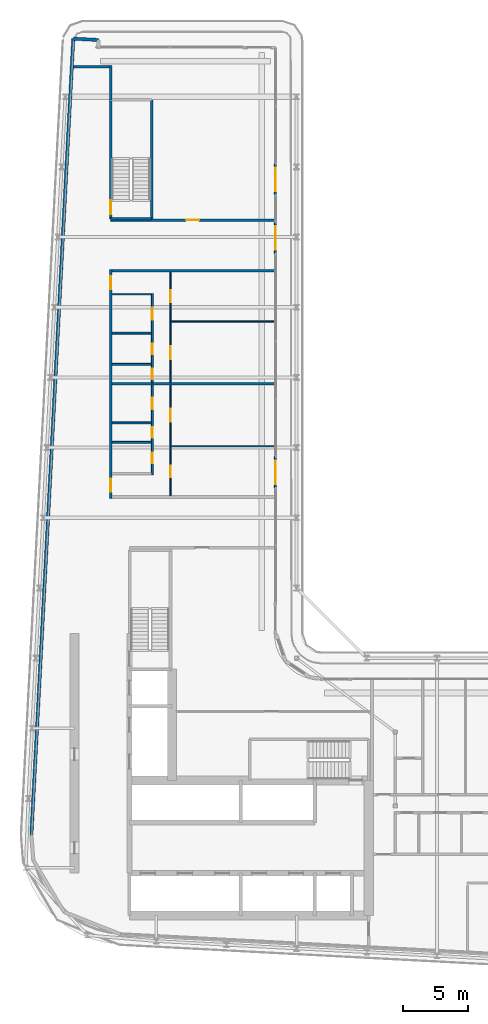
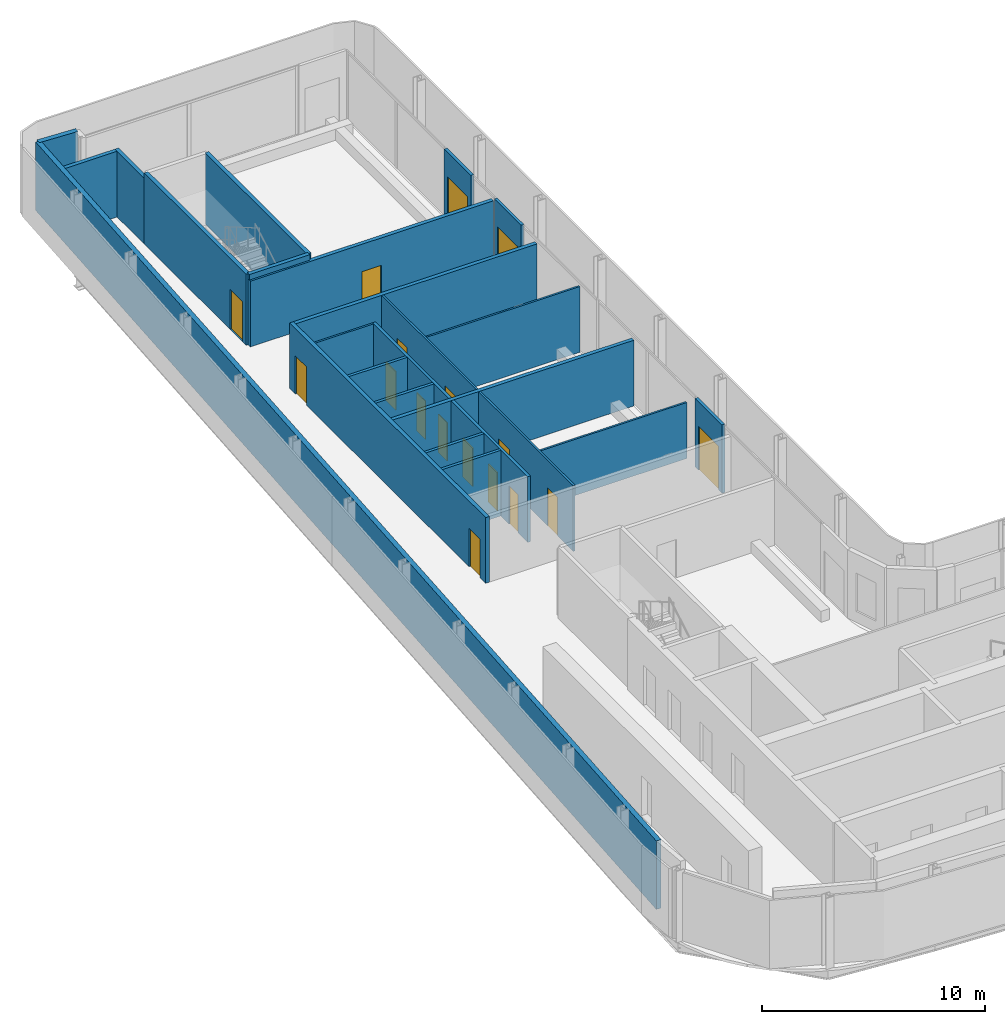
# One storey, part 13 of 21: 25 walls, 17 doors, 17 openings.
"""IFC4 building model written with IfcOpenShell, lengths in metres."""

import ifcopenshell
import ifcopenshell.guid

model = None  # the IFC model being written
_history = None  # IfcOwnerHistory: only IFC2X3 demands one
_inside = {}  # id of a spatial element -> (the spatial element, [elements in it])
_under = {}  # id of a project, library or spatial element -> (it, [spatial elements below it])
_declared = {}  # id of a project -> (the project, [libraries it declares])
_typed = {}  # id of a type object -> (the type object, [elements of that type])
_made_of = {}  # id of a material, layer set ... -> (it, [elements and type objects made of it])


def new_model(schema):
    """Start an empty IFC model of exactly this schema.

    Asked for "IFC4X3", IfcOpenShell would pick the latest addendum, in which some entities
    have other attributes; the version numbers below select the first issue.
    IFC2X3 requires an IfcOwnerHistory on every rooted entity: one is made here for all.
    """
    global model, _history
    if schema == "IFC4X3":
        model = ifcopenshell.file(schema_version=(4, 3, 0, 0))
    else:
        model = ifcopenshell.file(schema=schema)
    _inside.clear()
    _under.clear()
    _declared.clear()
    _typed.clear()
    _made_of.clear()
    _history = None
    if model.schema == "IFC2X3":
        org = make("IfcOrganization", Name="unknown")
        user = make(
            "IfcPersonAndOrganization",
            ThePerson=make("IfcPerson", FamilyName="unknown"),
            TheOrganization=org,
        )
        app = make(
            "IfcApplication",
            ApplicationDeveloper=org,
            Version="unknown",
            ApplicationFullName="unknown",
            ApplicationIdentifier="unknown",
        )
        _history = make(
            "IfcOwnerHistory",
            OwningUser=user,
            OwningApplication=app,
            ChangeAction="ADDED",
            CreationDate=0,
        )
    return model


def make(cls, **values):
    """One entity of the class cls with the attributes given. An attribute that is None is left unset."""
    return model.create_entity(
        cls, **{name: value for name, value in values.items() if value is not None}
    )


def rooted(cls, **values):
    """An entity with a GlobalId (a new one), such as an element, a storey or a relation."""
    return make(cls, GlobalId=ifcopenshell.guid.new(), OwnerHistory=_history, **values)


def si_unit(unit_type, name, prefix=None):
    """IfcSIUnit, for example si_unit("LENGTHUNIT", "METRE", prefix="MILLI")."""
    return make("IfcSIUnit", UnitType=unit_type, Prefix=prefix, Name=name)


def assignment(units):
    """IfcUnitAssignment: the units of a project."""
    return None if units is None else make("IfcUnitAssignment", Units=units)


def point(xyz):
    """IfcCartesianPoint."""
    return None if xyz is None else make("IfcCartesianPoint", Coordinates=xyz)


def direction(xyz):
    """IfcDirection."""
    return None if xyz is None else make("IfcDirection", DirectionRatios=xyz)


def frame(location, z_axis=None, x_axis=None):
    """IfcAxis2Placement3D, a coordinate frame: its origin and axes. An axis left out is left unset."""
    return make(
        "IfcAxis2Placement3D",
        Location=point(location),
        Axis=direction(z_axis),
        RefDirection=direction(x_axis),
    )


def frame_2d(location, x_axis=None):
    """IfcAxis2Placement2D, a coordinate frame in the plane: its origin and x axis."""
    return make(
        "IfcAxis2Placement2D", Location=point(location), RefDirection=direction(x_axis)
    )


def origin():
    """The frame at (0, 0, 0) with its axes left unset."""
    return frame((0.0, 0.0, 0.0))


def place(relative_to, where):
    """IfcLocalPlacement: puts the frame where relative to a parent placement (None: the world)."""
    return make(
        "IfcLocalPlacement", PlacementRelTo=relative_to, RelativePlacement=where
    )


def context(
    kind, dimensions, precision=None, world=None, true_north=None, identifier=None
):
    """IfcGeometricRepresentationContext, for example the 3D "Model" context."""
    return make(
        "IfcGeometricRepresentationContext",
        ContextIdentifier=identifier,
        ContextType=kind,
        CoordinateSpaceDimension=dimensions,
        Precision=precision,
        WorldCoordinateSystem=world,
        TrueNorth=true_north,
    )


def subcontext(parent, identifier, kind, view, scale=None):
    """IfcGeometricRepresentationSubContext, for example "Body" below "Model"."""
    return make(
        "IfcGeometricRepresentationSubContext",
        ContextIdentifier=identifier,
        ContextType=kind,
        ParentContext=parent,
        TargetScale=scale,
        TargetView=view,
    )


def project(units=None, contexts=None):
    """IfcProject with its units and contexts."""
    return rooted(
        "IfcProject",
        Name="project",
        RepresentationContexts=contexts,
        UnitsInContext=assignment(units),
    )


def spatial(cls, under=None, at=None, **own):
    """A site, building, storey or space (cls), placed at a placement, below another one or the project."""
    s = rooted(cls, ObjectPlacement=at, **own)
    if under is not None:
        _under.setdefault(under.id(), (under, []))[1].append(s)
    return s


def profile(cls, at=None, kind="AREA", **sizes):
    """A parametric profile (cls). Its sizes go by their IFC names, for example OverallWidth=200.0."""
    return make(cls, ProfileType=kind, Position=at, **sizes)


def rectangle(**sizes):
    """IfcRectangleProfileDef."""
    return profile("IfcRectangleProfileDef", **sizes)


def extrude(swept, where, along, depth):
    """IfcExtrudedAreaSolid: the profile swept, set in the frame where, extruded along a direction by depth."""
    return make(
        "IfcExtrudedAreaSolid",
        SweptArea=swept,
        Position=where,
        ExtrudedDirection=direction(along),
        Depth=depth,
    )


def shape(context_of_items, identifier, shape_type, items):
    """IfcShapeRepresentation: the items that make up one representation, for example the "Body"."""
    return make(
        "IfcShapeRepresentation",
        ContextOfItems=context_of_items,
        RepresentationIdentifier=identifier,
        RepresentationType=shape_type,
        Items=items,
    )


def source(mapping_origin, context_of_items, identifier, shape_type, items):
    """IfcRepresentationMap: a shape defined once, which mapped items show again and again."""
    return make(
        "IfcRepresentationMap",
        MappingOrigin=mapping_origin,
        MappedRepresentation=shape(context_of_items, identifier, shape_type, items),
    )


def transform(
    local_origin,
    x_axis=None,
    y_axis=None,
    z_axis=None,
    scale=None,
    scale2=None,
    scale3=None,
    uniform=True,
):
    """IfcCartesianTransformationOperator3D, or its non-uniform kind. x_axis, y_axis, z_axis: its Axis1, 2, 3."""
    if uniform:
        return make(
            "IfcCartesianTransformationOperator3D",
            Axis1=direction(x_axis),
            Axis2=direction(y_axis),
            LocalOrigin=point(local_origin),
            Scale=scale,
            Axis3=direction(z_axis),
        )
    return make(
        "IfcCartesianTransformationOperator3DnonUniform",
        Axis1=direction(x_axis),
        Axis2=direction(y_axis),
        LocalOrigin=point(local_origin),
        Scale=scale,
        Axis3=direction(z_axis),
        Scale2=scale2,
        Scale3=scale3,
    )


def mapped(mapping_source, mapping_target):
    """IfcMappedItem: shows the shape of a source again, moved by a transform."""
    return make(
        "IfcMappedItem", MappingSource=mapping_source, MappingTarget=mapping_target
    )


def material(Name=None, Category=None):
    """IfcMaterial."""
    return make("IfcMaterial", Name=Name, Category=Category)


def layer(
    of_material, thickness, ventilated=None, Name=None, Category=None, Priority=None
):
    """IfcMaterialLayer: one layer of a wall or slab, of a material (None: an air gap)."""
    return make(
        "IfcMaterialLayer",
        Material=of_material,
        LayerThickness=thickness,
        IsVentilated=ventilated,
        Name=Name,
        Category=Category,
        Priority=Priority,
    )


def layer_set(layers, Name=None):
    """IfcMaterialLayerSet."""
    return make("IfcMaterialLayerSet", MaterialLayers=layers, LayerSetName=Name)


def made_of(thing, what):
    """Note that an element or type object is made of a material, layer set ...; save() writes the relation."""
    if what is not None:
        _made_of.setdefault(what.id(), (what, []))[1].append(thing)
    return thing


def type_object(cls, material=None, **own):
    """A type object (cls), such as IfcWallType, which elements share."""
    return made_of(rooted(cls, **own), material)


def element(
    cls,
    number,
    at=None,
    inside=None,
    cuts=None,
    type_object=None,
    material=None,
    context=None,
    identifier="Body",
    shape_type=None,
    held_by="IfcProductDefinitionShape",
    body=None,
    shapes=None,
    **own,
):
    """One element of the class cls, such as IfcWall. Its Tag is "e" and its number.

    at: its placement. inside: the storey or other place that contains it. cuts: it is an
    opening in that element (IfcRelVoidsElement). A single representation is given by context,
    identifier, shape_type and body (its items); several are given by shapes. held_by: the class
    of the entity that holds the representations. save() writes the other relations.
    """
    e = rooted(cls, Tag="e%d" % number, ObjectPlacement=at, **own)
    if body is not None:
        shapes = [shape(context, identifier, shape_type, body)]
    if shapes is not None:
        e.Representation = make(held_by, Representations=shapes)
    if inside is not None:
        _inside.setdefault(inside.id(), (inside, []))[1].append(e)
    if cuts is not None:
        rooted(
            "IfcRelVoidsElement", RelatingBuildingElement=cuts, RelatedOpeningElement=e
        )
    if type_object is not None:
        _typed.setdefault(type_object.id(), (type_object, []))[1].append(e)
    return made_of(e, material)


def fill(opening, filler):
    """IfcRelFillsElement: the door or window that sits in an opening."""
    return rooted(
        "IfcRelFillsElement",
        RelatingOpeningElement=opening,
        RelatedBuildingElement=filler,
    )


def aggregate(whole, parts):
    """IfcRelAggregates: a whole, such as a stair, and the parts it consists of."""
    return rooted("IfcRelAggregates", RelatingObject=whole, RelatedObjects=parts)


def save(model, path):
    """Write the relations noted so far, then the file.

    IfcRelAggregates (storeys below a building ...), IfcRelContainedInSpatialStructure (elements
    in a storey), IfcRelDefinesByType, IfcRelAssociatesMaterial and IfcRelDeclares: one each for
    every whole, place, type object, material and project.
    """
    for whole, parts in _under.values():
        aggregate(whole, parts)
    for where, things in _inside.values():
        rooted(
            "IfcRelContainedInSpatialStructure",
            RelatedElements=things,
            RelatingStructure=where,
        )
    for kind, things in _typed.values():
        rooted("IfcRelDefinesByType", RelatedObjects=things, RelatingType=kind)
    for what, things in _made_of.values():
        rooted("IfcRelAssociatesMaterial", RelatedObjects=things, RelatingMaterial=what)
    for by, libraries in _declared.values():
        rooted("IfcRelDeclares", RelatingContext=by, RelatedDefinitions=libraries)
    model.write(path)


model = new_model("IFC4")

# Units and contexts
model_context = context("Model", 3, precision=1e-05, world=origin(), true_north=direction((0.0, 1.0)))
body_context = subcontext(model_context, "Body", "Model", "MODEL_VIEW")
ifc_project = project(units=[si_unit("LENGTHUNIT", "METRE"), si_unit("AREAUNIT", "SQUARE_METRE"), si_unit("VOLUMEUNIT", "CUBIC_METRE"), si_unit("PLANEANGLEUNIT", "RADIAN"), si_unit("MASSUNIT", "GRAM", prefix="KILO")], contexts=[model_context])

# Site, building, storey
site_placement = place(None, origin())
site = spatial("IfcSite", under=ifc_project, at=site_placement, CompositionType="ELEMENT")
building_placement = place(site_placement, origin())
building = spatial("IfcBuilding", under=site, at=building_placement, Name="Kheshtan School and Residences Tower", CompositionType="ELEMENT")
storey_placement = place(building_placement, frame((0.0, 0.0, 235.699951171875)))
storey = spatial("IfcBuildingStorey", under=building, at=storey_placement, Name="L55", CompositionType="ELEMENT", Elevation=235.699951171875)

# Wall
ifc_material_1 = material(Name="Gypsum board on steel studs with fire boards", Category="steel")
ifc_layer_1 = layer(ifc_material_1, 0.199951171875)
ifc_layer_set_1 = layer_set([ifc_layer_1], Name="Corridor wall 200")
wall_type_1 = type_object("IfcWallType", Name="Corridor wall 200", PredefinedType="PARTITIONING", material=ifc_layer_set_1)
wall_1_placement = place(storey_placement, frame((30.432373046875, 91.10009765625, 0.0), z_axis=(0.0, 0.0, 1.0), x_axis=(1.0, 0.0, 0.0)))
element("IfcWall", 1, at=wall_1_placement, inside=storey, type_object=wall_type_1, Name="Partition L55-001", PredefinedType="PARTITIONING", context=body_context, shape_type="SweptSolid", body=[
    extrude(rectangle(XDim=2.767578125, YDim=0.199951171875, at=frame_2d((1.3837890625, 0.0))), origin(), (0.0, 0.0, 1.0), 3.60009765625),
])

# Wall, openings, doors
wall_2_placement = place(storey_placement, frame((33.300048828125, 57.89990234375, 0.0), z_axis=(0.0, 0.0, 1.0), x_axis=(0.0, 1.0, 0.0)))
wall_2 = element("IfcWall", 2, at=wall_2_placement, inside=storey, type_object=wall_type_1, Name="Partition L55-002", PredefinedType="PARTITIONING", context=body_context, shape_type="SweptSolid", body=[
    extrude(rectangle(XDim=17.60009765625, YDim=0.199951171875, at=frame_2d((8.800048828125, 0.0))), origin(), (0.0, 0.0, 1.0), 3.60009765625),
])
opening_1_placement = place(wall_2_placement, frame((0.5, 0.0, 0.0)))
opening_1 = element("IfcOpeningElement", 3, at=opening_1_placement, cuts=wall_2, Name="Opening D54-024", PredefinedType="OPENING", context=body_context, shape_type="SweptSolid", body=[
    extrude(rectangle(XDim=1.0, YDim=2.10009765625, at=frame_2d((0.5, 1.050048828125))), frame((0.0, 0.10986328125, 0.0), z_axis=(0.0, -1.0, 0.0), x_axis=(1.0, 0.0, 0.0)), (0.0, 0.0, 1.0), 0.219970703125),
])
opening_2_placement = place(wall_2_placement, frame((16.10009765625, 0.0, 0.0)))
opening_2 = element("IfcOpeningElement", 4, at=opening_2_placement, cuts=wall_2, Name="Opening D54-030", PredefinedType="OPENING", context=body_context, shape_type="SweptSolid", body=[
    extrude(rectangle(XDim=1.0, YDim=2.10009765625, at=frame_2d((0.5, 1.050048828125))), frame((0.0, 0.10986328125, 0.0), z_axis=(0.0, -1.0, 0.0), x_axis=(1.0, 0.0, 0.0)), (0.0, 0.0, 1.0), 0.219970703125),
])
ifc_material_2 = material(Name="Steel-framed fire-resisting door leaf", Category="steel")
door_type_1 = type_object("IfcDoorType", Name="Fire door FD30S 1000 x 2100", OperationType="SINGLE_SWING_LEFT", PredefinedType="DOOR", material=ifc_material_2)
shared_shape_1 = source(origin(), body_context, "Body", "SweptSolid", [
    extrude(rectangle(XDim=1.0, YDim=2.10009765625, at=frame_2d((0.5, 1.050048828125))), frame((0.0, 0.02490234375, 0.0), z_axis=(0.0, -1.0, 0.0), x_axis=(1.0, 0.0, 0.0)), (0.0, 0.0, 1.0), 0.050048828125),
])
door_1_placement = place(opening_1_placement, origin())
door_1 = element("IfcDoor", 5, at=door_1_placement, inside=storey, type_object=door_type_1, Name="Door D54-024", OperationType="SINGLE_SWING_RIGHT", OverallHeight=2.10009765625, OverallWidth=1.0, PredefinedType="DOOR", context=body_context, shape_type="MappedRepresentation", body=[
    mapped(shared_shape_1, transform((0.0, 0.0, 0.0), x_axis=(1.0, 0.0, 0.0), y_axis=(0.0, 1.0, 0.0), z_axis=(0.0, 0.0, 1.0), scale=1.0)),
])
fill(opening_1, door_1)
door_2_placement = place(opening_2_placement, origin())
door_2 = element("IfcDoor", 6, at=door_2_placement, inside=storey, type_object=door_type_1, Name="Door D54-030", OperationType="SINGLE_SWING_RIGHT", OverallHeight=2.10009765625, OverallWidth=1.0, PredefinedType="DOOR", context=body_context, shape_type="MappedRepresentation", body=[
    mapped(shared_shape_1, transform((0.0, 0.0, 0.0), x_axis=(1.0, 0.0, 0.0), y_axis=(0.0, 1.0, 0.0), z_axis=(0.0, 0.0, 1.0), scale=1.0)),
])
fill(opening_2, door_2)

# Wall, opening, door
wall_3_placement = place(storey_placement, frame((33.300048828125, 79.300048828125, 0.0), z_axis=(0.0, 0.0, 1.0), x_axis=(1.0, 0.0, 0.0)))
wall_3 = element("IfcWall", 7, at=wall_3_placement, inside=storey, type_object=wall_type_1, Name="Partition L55-003", PredefinedType="PARTITIONING", context=body_context, shape_type="SweptSolid", body=[
    extrude(rectangle(XDim=12.599853515625, YDim=0.199951171875, at=frame_2d((6.2998046875, 0.0))), origin(), (0.0, 0.0, 1.0), 3.60009765625),
])
opening_3_placement = place(wall_3_placement, frame((5.794921875, 0.0, 0.0)))
opening_3 = element("IfcOpeningElement", 8, at=opening_3_placement, cuts=wall_3, Name="Opening D54-036", PredefinedType="OPENING", context=body_context, shape_type="SweptSolid", body=[
    extrude(rectangle(XDim=1.0, YDim=2.10009765625, at=frame_2d((0.5, 1.050048828125))), frame((0.0, 0.10986328125, 0.0), z_axis=(0.0, -1.0, 0.0), x_axis=(1.0, 0.0, 0.0)), (0.0, 0.0, 1.0), 0.219970703125),
])
door_type_2 = type_object("IfcDoorType", Name="Fire door FD60 1000 x 2100", OperationType="SINGLE_SWING_LEFT", PredefinedType="DOOR", material=ifc_material_2)
shared_shape_2 = source(origin(), body_context, "Body", "SweptSolid", [
    extrude(rectangle(XDim=1.0, YDim=2.10009765625, at=frame_2d((0.5, 1.050048828125))), frame((0.0, 0.02490234375, 0.0), z_axis=(0.0, -1.0, 0.0), x_axis=(1.0, 0.0, 0.0)), (0.0, 0.0, 1.0), 0.050048828125),
])
door_3_placement = place(opening_3_placement, origin())
door_3 = element("IfcDoor", 9, at=door_3_placement, inside=storey, type_object=door_type_2, Name="Door D54-036", OperationType="SINGLE_SWING_RIGHT", OverallHeight=2.10009765625, OverallWidth=1.0, PredefinedType="DOOR", context=body_context, shape_type="MappedRepresentation", body=[
    mapped(shared_shape_2, transform((0.0, 0.0, 0.0), x_axis=(1.0, 0.0, 0.0), y_axis=(0.0, 1.0, 0.0), z_axis=(0.0, 0.0, 1.0), scale=1.0)),
])
fill(opening_3, door_3)

# Walls
wall_4_placement = place(storey_placement, frame((33.300048828125, 88.56005859375, 0.0), z_axis=(0.0, 0.0, 1.0), x_axis=(0.0, 1.0, 0.0)))
element("IfcWall", 10, at=wall_4_placement, inside=storey, type_object=wall_type_1, Name="Partition L55-004", PredefinedType="PARTITIONING", context=body_context, shape_type="SweptSolid", body=[
    extrude(rectangle(XDim=2.639892578125, YDim=0.199951171875, at=frame_2d((1.31982421875, 0.0))), origin(), (0.0, 0.0, 1.0), 3.60009765625),
])
wall_5_placement = place(storey_placement, frame((33.39990234375, 75.39990234375, 0.0), z_axis=(0.0, 0.0, 1.0), x_axis=(1.0, 0.0, 0.0)))
element("IfcWall", 11, at=wall_5_placement, inside=storey, type_object=wall_type_1, Name="Partition L55-013", PredefinedType="PARTITIONING", context=body_context, shape_type="SweptSolid", body=[
    extrude(rectangle(XDim=12.5, YDim=0.199951171875, at=frame_2d((6.25, 0.0))), origin(), (0.0, 0.0, 1.0), 3.60009765625),
])
ifc_material_3 = material(Name="Concrete C40/50 with ceramic cladding and mineral wool insulation", Category="concrete")
ifc_layer_2 = layer(ifc_material_3, 0.25)
ifc_layer_set_2 = layer_set([ifc_layer_2], Name="External wall 250 ceramic clad")
wall_type_2 = type_object("IfcWallType", Name="External wall 250 ceramic clad", PredefinedType="SOLIDWALL", material=ifc_layer_set_2)
wall_6_placement = place(storey_placement, frame((30.4208984375, 93.263916015625, 0.0), z_axis=(0.0, 0.0, 1.0), x_axis=(0.998577785791, -0.053314216913, 0.0)))
element("IfcWall", 12, at=wall_6_placement, inside=storey, type_object=wall_type_2, Name="External wall L55 1", PredefinedType="SOLIDWALL", context=body_context, shape_type="SweptSolid", body=[
    extrude(rectangle(XDim=1.95068359375, YDim=0.25, at=frame_2d((0.975341796875, 0.0))), origin(), (0.0, 0.0, 1.0), 3.75),
])
wall_7_placement = place(storey_placement, frame((27.195068359375, 31.968994140625, 0.0), z_axis=(0.0, 0.0, 1.0), x_axis=(0.052555284099, 0.998618016117, 0.0)))
element("IfcWall", 13, at=wall_7_placement, inside=storey, type_object=wall_type_2, Name="External wall L55 16", PredefinedType="SOLIDWALL", context=body_context, shape_type="SweptSolid", body=[
    extrude(rectangle(XDim=61.379638671875, YDim=0.25, at=frame_2d((30.68994140625, 0.0))), origin(), (0.0, 0.0, 1.0), 3.75),
])

# Wall, opening, door
ifc_material_4 = material(Name="Aluminium frame wall with insulated infill", Category="aluminium")
ifc_layer_3 = layer(ifc_material_4, 0.14990234375)
ifc_layer_set_3 = layer_set([ifc_layer_3], Name="Glazing frame wall 150")
wall_type_3 = type_object("IfcWallType", Name="Glazing frame wall 150", PredefinedType="SOLIDWALL", material=ifc_layer_set_3)
wall_8_placement = place(storey_placement, frame((45.97509765625, 83.632080078125, 0.0), z_axis=(0.0, 0.0, 1.0), x_axis=(0.0, -1.0, 0.0)))
wall_8 = element("IfcWall", 14, at=wall_8_placement, inside=storey, type_object=wall_type_3, Name="Balcony door wall L55 4.1", PredefinedType="SOLIDWALL", context=body_context, shape_type="SweptSolid", body=[
    extrude(rectangle(XDim=2.399169921875, YDim=0.14990234375, at=frame_2d((1.19970703125, 0.0))), origin(), (0.0, 0.0, 1.0), 3.75),
])
opening_4_placement = place(wall_8_placement, frame((0.300048828125, 0.0, 0.0)))
opening_4 = element("IfcOpeningElement", 15, at=opening_4_placement, cuts=wall_8, Name="Opening BD", PredefinedType="OPENING", context=body_context, shape_type="SweptSolid", body=[
    extrude(rectangle(XDim=1.800048828125, YDim=2.39990234375, at=frame_2d((0.89990234375, 1.199951171875))), frame((0.0, 0.0849609375, 0.0), z_axis=(0.0, -1.0, 0.0), x_axis=(1.0, 0.0, 0.0)), (0.0, 0.0, 1.0), 0.169921875),
])
ifc_material_5 = material(Name="Clear low-e glass in thermally broken aluminium frame", Category="aluminium")
door_type_3 = type_object("IfcDoorType", Name="Balcony sliding door", OperationType="SLIDING_TO_LEFT", PredefinedType="DOOR", material=ifc_material_5)
shared_shape_3 = source(origin(), body_context, "Body", "SweptSolid", [
    extrude(rectangle(XDim=1.800048828125, YDim=2.39990234375, at=frame_2d((0.89990234375, 1.199951171875))), frame((0.0, 0.02490234375, 0.0), z_axis=(0.0, -1.0, 0.0), x_axis=(1.0, 0.0, 0.0)), (0.0, 0.0, 1.0), 0.050048828125),
])
door_4_placement = place(opening_4_placement, origin())
door_4 = element("IfcDoor", 16, at=door_4_placement, inside=storey, type_object=door_type_3, Name="Balcony door L55 4.1", OperationType="SLIDING_TO_LEFT", OverallHeight=2.39990234375, OverallWidth=1.800048828125, PredefinedType="DOOR", context=body_context, shape_type="MappedRepresentation", body=[
    mapped(shared_shape_3, transform((0.0, 0.0, 0.0), x_axis=(1.0, 0.0, 0.0), y_axis=(0.0, 1.0, 0.0), z_axis=(0.0, 0.0, 1.0), scale=1.0)),
])
fill(opening_4, door_4)

wall_9_placement = place(storey_placement, frame((45.97509765625, 79.132080078125, 0.0), z_axis=(0.0, 0.0, 1.0), x_axis=(0.0, -1.0, 0.0)))
wall_9 = element("IfcWall", 17, at=wall_9_placement, inside=storey, type_object=wall_type_3, Name="Balcony door wall L55 4.2", PredefinedType="SOLIDWALL", context=body_context, shape_type="SweptSolid", body=[
    extrude(rectangle(XDim=2.399169921875, YDim=0.14990234375, at=frame_2d((1.19970703125, 0.0))), origin(), (0.0, 0.0, 1.0), 3.75),
])
opening_5_placement = place(wall_9_placement, frame((0.300048828125, 0.0, 0.0)))
opening_5 = element("IfcOpeningElement", 18, at=opening_5_placement, cuts=wall_9, Name="Opening BD", PredefinedType="OPENING", context=body_context, shape_type="SweptSolid", body=[
    extrude(rectangle(XDim=1.800048828125, YDim=2.39990234375, at=frame_2d((0.89990234375, 1.199951171875))), frame((0.0, 0.0849609375, 0.0), z_axis=(0.0, -1.0, 0.0), x_axis=(1.0, 0.0, 0.0)), (0.0, 0.0, 1.0), 0.169921875),
])
door_5_placement = place(opening_5_placement, origin())
door_5 = element("IfcDoor", 19, at=door_5_placement, inside=storey, type_object=door_type_3, Name="Balcony door L55 4.2", OperationType="SLIDING_TO_LEFT", OverallHeight=2.39990234375, OverallWidth=1.800048828125, PredefinedType="DOOR", context=body_context, shape_type="MappedRepresentation", body=[
    mapped(shared_shape_3, transform((0.0, 0.0, 0.0), x_axis=(1.0, 0.0, 0.0), y_axis=(0.0, 1.0, 0.0), z_axis=(0.0, 0.0, 1.0), scale=1.0)),
])
fill(opening_5, door_5)

wall_10_placement = place(storey_placement, frame((45.97509765625, 61.096923828125, 0.0), z_axis=(0.0, 0.0, 1.0), x_axis=(0.0, -1.0, 0.0)))
wall_10 = element("IfcWall", 20, at=wall_10_placement, inside=storey, type_object=wall_type_3, Name="Balcony door wall L55 4.3", PredefinedType="SOLIDWALL", context=body_context, shape_type="SweptSolid", body=[
    extrude(rectangle(XDim=2.39990234375, YDim=0.14990234375, at=frame_2d((1.199951171875, 0.0))), origin(), (0.0, 0.0, 1.0), 3.75),
])
opening_6_placement = place(wall_10_placement, frame((0.300048828125, 0.0, 0.0)))
opening_6 = element("IfcOpeningElement", 21, at=opening_6_placement, cuts=wall_10, Name="Opening BD", PredefinedType="OPENING", context=body_context, shape_type="SweptSolid", body=[
    extrude(rectangle(XDim=1.800048828125, YDim=2.39990234375, at=frame_2d((0.89990234375, 1.199951171875))), frame((0.0, 0.0849609375, 0.0), z_axis=(0.0, -1.0, 0.0), x_axis=(1.0, 0.0, 0.0)), (0.0, 0.0, 1.0), 0.169921875),
])
door_6_placement = place(opening_6_placement, origin())
door_6 = element("IfcDoor", 22, at=door_6_placement, inside=storey, type_object=door_type_3, Name="Balcony door L55 4.3", OperationType="SLIDING_TO_LEFT", OverallHeight=2.39990234375, OverallWidth=1.800048828125, PredefinedType="DOOR", context=body_context, shape_type="MappedRepresentation", body=[
    mapped(shared_shape_3, transform((0.0, 0.0, 0.0), x_axis=(1.0, 0.0, 0.0), y_axis=(0.0, 1.0, 0.0), z_axis=(0.0, 0.0, 1.0), scale=1.0)),
])
fill(opening_6, door_6)

# Wall
ifc_material_6 = material(Name="Gypsum board on steel studs", Category="steel")
ifc_layer_4 = layer(ifc_material_6, 0.10009765625)
ifc_layer_set_4 = layer_set([ifc_layer_4], Name="Gypsum partition 100")
wall_type_4 = type_object("IfcWallType", Name="Gypsum partition 100", PredefinedType="PARTITIONING", material=ifc_layer_set_4)
wall_11_placement = place(storey_placement, frame((33.39990234375, 73.60009765625, 0.0), z_axis=(0.0, 0.0, 1.0), x_axis=(1.0, 0.0, 0.0)))
element("IfcWall", 23, at=wall_11_placement, inside=storey, type_object=wall_type_4, Name="Partition L55-012", PredefinedType="PARTITIONING", context=body_context, shape_type="SweptSolid", body=[
    extrude(rectangle(XDim=3.025146484375, YDim=0.10009765625, at=frame_2d((1.5126953125, 0.0))), origin(), (0.0, 0.0, 1.0), 3.60009765625),
])

# Wall, openings, doors
wall_12_placement = place(storey_placement, frame((37.89990234375, 58.10009765625, 0.0), z_axis=(0.0, 0.0, 1.0), x_axis=(0.0, 1.0, 0.0)))
wall_12 = element("IfcWall", 24, at=wall_12_placement, inside=storey, type_object=wall_type_4, Name="Partition L55-017", PredefinedType="PARTITIONING", context=body_context, shape_type="SweptSolid", body=[
    extrude(rectangle(XDim=8.5, YDim=0.10009765625, at=frame_2d((4.25, 0.0))), origin(), (0.0, 0.0, 1.0), 3.60009765625),
])
opening_7_placement = place(wall_12_placement, frame((1.39990234375, 0.0, 0.0)))
opening_7 = element("IfcOpeningElement", 25, at=opening_7_placement, cuts=wall_12, Name="Opening D54-023", PredefinedType="OPENING", context=body_context, shape_type="SweptSolid", body=[
    extrude(rectangle(XDim=0.89990234375, YDim=2.10009765625, at=frame_2d((0.449951171875, 1.050048828125))), frame((0.0, 0.06005859375, 0.0), z_axis=(0.0, -1.0, 0.0), x_axis=(1.0, 0.0, 0.0)), (0.0, 0.0, 1.0), 0.1201171875),
])
opening_8_placement = place(wall_12_placement, frame((5.699951171875, 0.0, 0.0)))
opening_8 = element("IfcOpeningElement", 26, at=opening_8_placement, cuts=wall_12, Name="Opening D54-026", PredefinedType="OPENING", context=body_context, shape_type="SweptSolid", body=[
    extrude(rectangle(XDim=1.0, YDim=2.10009765625, at=frame_2d((0.5, 1.050048828125))), frame((0.0, 0.06005859375, 0.0), z_axis=(0.0, -1.0, 0.0), x_axis=(1.0, 0.0, 0.0)), (0.0, 0.0, 1.0), 0.1201171875),
])
ifc_material_7 = material(Name="Veneered timber door leaf", Category="wood")
door_type_4 = type_object("IfcDoorType", Name="Door 1000 x 2100", OperationType="SINGLE_SWING_LEFT", PredefinedType="DOOR", material=ifc_material_7)
shared_shape_4 = source(origin(), body_context, "Body", "SweptSolid", [
    extrude(rectangle(XDim=1.0, YDim=2.10009765625, at=frame_2d((0.5, 1.050048828125))), frame((0.0, 0.02490234375, 0.0), z_axis=(0.0, -1.0, 0.0), x_axis=(1.0, 0.0, 0.0)), (0.0, 0.0, 1.0), 0.050048828125),
])
door_7_placement = place(opening_8_placement, origin())
door_7 = element("IfcDoor", 27, at=door_7_placement, inside=storey, type_object=door_type_4, Name="Door D54-026", OperationType="SINGLE_SWING_LEFT", OverallHeight=2.10009765625, OverallWidth=1.0, PredefinedType="DOOR", context=body_context, shape_type="MappedRepresentation", body=[
    mapped(shared_shape_4, transform((0.0, 0.0, 0.0), x_axis=(1.0, 0.0, 0.0), y_axis=(0.0, 1.0, 0.0), z_axis=(0.0, 0.0, 1.0), scale=1.0)),
])
fill(opening_8, door_7)
door_type_5 = type_object("IfcDoorType", Name="Door 900 x 2100", OperationType="SINGLE_SWING_LEFT", PredefinedType="DOOR", material=ifc_material_7)
shared_shape_5 = source(origin(), body_context, "Body", "SweptSolid", [
    extrude(rectangle(XDim=0.89990234375, YDim=2.10009765625, at=frame_2d((0.449951171875, 1.050048828125))), frame((0.0, 0.02490234375, 0.0), z_axis=(0.0, -1.0, 0.0), x_axis=(1.0, 0.0, 0.0)), (0.0, 0.0, 1.0), 0.050048828125),
])
door_8_placement = place(opening_7_placement, origin())
door_8 = element("IfcDoor", 28, at=door_8_placement, inside=storey, type_object=door_type_5, Name="Door D54-023", OperationType="SINGLE_SWING_LEFT", OverallHeight=2.10009765625, OverallWidth=0.89990234375, PredefinedType="DOOR", context=body_context, shape_type="MappedRepresentation", body=[
    mapped(shared_shape_5, transform((0.0, 0.0, 0.0), x_axis=(1.0, 0.0, 0.0), y_axis=(0.0, 1.0, 0.0), z_axis=(0.0, 0.0, 1.0), scale=1.0)),
])
fill(opening_7, door_8)

wall_13_placement = place(storey_placement, frame((37.89990234375, 66.800048828125, 0.0), z_axis=(0.0, 0.0, 1.0), x_axis=(0.0, 1.0, 0.0)))
wall_13 = element("IfcWall", 29, at=wall_13_placement, inside=storey, type_object=wall_type_4, Name="Partition L55-018", PredefinedType="PARTITIONING", context=body_context, shape_type="SweptSolid", body=[
    extrude(rectangle(XDim=8.5, YDim=0.10009765625, at=frame_2d((4.25, 0.0))), origin(), (0.0, 0.0, 1.0), 3.60009765625),
])
opening_9_placement = place(wall_13_placement, frame((6.199951171875, 0.0, 0.0)))
opening_9 = element("IfcOpeningElement", 30, at=opening_9_placement, cuts=wall_13, Name="Opening D54-029", PredefinedType="OPENING", context=body_context, shape_type="SweptSolid", body=[
    extrude(rectangle(XDim=0.89990234375, YDim=2.10009765625, at=frame_2d((0.449951171875, 1.050048828125))), frame((0.0, 0.06005859375, 0.0), z_axis=(0.0, -1.0, 0.0), x_axis=(1.0, 0.0, 0.0)), (0.0, 0.0, 1.0), 0.1201171875),
])
opening_10_placement = place(wall_13_placement, frame((1.800048828125, 0.0, 0.0)))
opening_10 = element("IfcOpeningElement", 31, at=opening_10_placement, cuts=wall_13, Name="Opening D54-032", PredefinedType="OPENING", context=body_context, shape_type="SweptSolid", body=[
    extrude(rectangle(XDim=1.0, YDim=2.10009765625, at=frame_2d((0.5, 1.050048828125))), frame((0.0, 0.06005859375, 0.0), z_axis=(0.0, -1.0, 0.0), x_axis=(1.0, 0.0, 0.0)), (0.0, 0.0, 1.0), 0.1201171875),
])
door_9_placement = place(opening_10_placement, origin())
door_9 = element("IfcDoor", 32, at=door_9_placement, inside=storey, type_object=door_type_4, Name="Door D54-032", OperationType="SINGLE_SWING_RIGHT", OverallHeight=2.10009765625, OverallWidth=1.0, PredefinedType="DOOR", context=body_context, shape_type="MappedRepresentation", body=[
    mapped(shared_shape_4, transform((0.0, 0.0, 0.0), x_axis=(1.0, 0.0, 0.0), y_axis=(0.0, 1.0, 0.0), z_axis=(0.0, 0.0, 1.0), scale=1.0)),
])
fill(opening_10, door_9)
door_10_placement = place(opening_9_placement, origin())
door_10 = element("IfcDoor", 33, at=door_10_placement, inside=storey, type_object=door_type_5, Name="Door D54-029", OperationType="SINGLE_SWING_RIGHT", OverallHeight=2.10009765625, OverallWidth=0.89990234375, PredefinedType="DOOR", context=body_context, shape_type="MappedRepresentation", body=[
    mapped(shared_shape_5, transform((0.0, 0.0, 0.0), x_axis=(1.0, 0.0, 0.0), y_axis=(0.0, 1.0, 0.0), z_axis=(0.0, 0.0, 1.0), scale=1.0)),
])
fill(opening_9, door_10)

# Walls
wall_14_placement = place(storey_placement, frame((37.949951171875, 61.89990234375, 0.0), z_axis=(0.0, 0.0, 1.0), x_axis=(1.0, 0.0, 0.0)))
element("IfcWall", 34, at=wall_14_placement, inside=storey, type_object=wall_type_4, Name="Partition L55-019", PredefinedType="PARTITIONING", context=body_context, shape_type="SweptSolid", body=[
    extrude(rectangle(XDim=7.949951171875, YDim=0.10009765625, at=frame_2d((3.97509765625, 0.0))), origin(), (0.0, 0.0, 1.0), 3.072021484375),
])
wall_15_placement = place(storey_placement, frame((37.949951171875, 71.5, 0.0), z_axis=(0.0, 0.0, 1.0), x_axis=(1.0, 0.0, 0.0)))
element("IfcWall", 35, at=wall_15_placement, inside=storey, type_object=wall_type_4, Name="Partition L55-020", PredefinedType="PARTITIONING", context=body_context, shape_type="SweptSolid", body=[
    extrude(rectangle(XDim=7.949951171875, YDim=0.10009765625, at=frame_2d((3.97509765625, 0.0))), origin(), (0.0, 0.0, 1.0), 3.60009765625),
])
ifc_material_8 = material(Name="Concrete C40/50", Category="concrete")
ifc_layer_5 = layer(ifc_material_8, 0.199951171875)
ifc_layer_set_5 = layer_set([ifc_layer_5], Name="Stair enclosure wall 200 Concrete C40/50")
wall_type_5 = type_object("IfcWallType", Name="Stair enclosure wall 200 Concrete C40/50", PredefinedType="SHEAR", material=ifc_layer_set_5)
wall_16_placement = place(storey_placement, frame((33.300048828125, 79.39990234375, 0.0), z_axis=(0.0, 0.0, 1.0), x_axis=(1.0, 0.0, 0.0)))
element("IfcWall", 36, at=wall_16_placement, inside=storey, type_object=wall_type_5, Name="Stair enclosure wall ST3", PredefinedType="SHEAR", context=body_context, shape_type="SweptSolid", body=[
    extrude(rectangle(XDim=3.14990234375, YDim=0.199951171875, at=frame_2d((1.574951171875, 0.0))), origin(), (0.0, 0.0, 1.0), 3.900146484375),
])

# Wall, opening, door
wall_17_placement = place(storey_placement, frame((33.300048828125, 79.39990234375, 0.0), z_axis=(0.0, 0.0, 1.0), x_axis=(0.0, 1.0, 0.0)))
wall_17 = element("IfcWall", 37, at=wall_17_placement, inside=storey, type_object=wall_type_5, Name="Stair enclosure wall ST3", PredefinedType="SHEAR", context=body_context, shape_type="SweptSolid", body=[
    extrude(rectangle(XDim=9.16015625, YDim=0.199951171875, at=frame_2d((4.580078125, 0.0))), origin(), (0.0, 0.0, 1.0), 3.900146484375),
])
opening_11_placement = place(wall_17_placement, frame((0.35009765625, 0.0, 0.0)))
opening_11 = element("IfcOpeningElement", 38, at=opening_11_placement, cuts=wall_17, Name="Opening ST3D", PredefinedType="OPENING", context=body_context, shape_type="SweptSolid", body=[
    extrude(rectangle(XDim=1.10009765625, YDim=2.199951171875, at=frame_2d((0.550048828125, 1.10009765625))), frame((0.0, 0.10986328125, 0.0), z_axis=(0.0, -1.0, 0.0), x_axis=(1.0, 0.0, 0.0)), (0.0, 0.0, 1.0), 0.219970703125),
])
ifc_material_9 = material(Name="Steel door leaf, galvanised", Category="steel")
door_type_6 = type_object("IfcDoorType", Name="Stair door 1100 steel 90 min", OperationType="SINGLE_SWING_LEFT", PredefinedType="DOOR", material=ifc_material_9)
shared_shape_6 = source(origin(), body_context, "Body", "SweptSolid", [
    extrude(rectangle(XDim=1.10009765625, YDim=2.199951171875, at=frame_2d((0.550048828125, 1.10009765625))), frame((0.0, 0.02490234375, 0.0), z_axis=(0.0, -1.0, 0.0), x_axis=(1.0, 0.0, 0.0)), (0.0, 0.0, 1.0), 0.050048828125),
])
door_11_placement = place(opening_11_placement, origin())
door_11 = element("IfcDoor", 39, at=door_11_placement, inside=storey, type_object=door_type_6, Name="Stair ST3 door", OperationType="SINGLE_SWING_RIGHT", OverallHeight=2.199951171875, OverallWidth=1.10009765625, PredefinedType="DOOR", context=body_context, shape_type="MappedRepresentation", body=[
    mapped(shared_shape_6, transform((0.0, 0.0, 0.0), x_axis=(1.0, 0.0, 0.0), y_axis=(0.0, 1.0, 0.0), z_axis=(0.0, 0.0, 1.0), scale=1.0)),
])
fill(opening_11, door_11)

# Walls
wall_18_placement = place(storey_placement, frame((36.449951171875, 79.39990234375, 0.0), z_axis=(0.0, 0.0, 1.0), x_axis=(0.0, 1.0, 0.0)))
element("IfcWall", 40, at=wall_18_placement, inside=storey, type_object=wall_type_5, Name="Stair enclosure wall ST3", PredefinedType="SHEAR", context=body_context, shape_type="SweptSolid", body=[
    extrude(rectangle(XDim=9.16015625, YDim=0.199951171875, at=frame_2d((4.580078125, 0.0))), origin(), (0.0, 0.0, 1.0), 3.900146484375),
])
ifc_material_10 = material(Name="Twin gypsum board on steel studs with mineral wool", Category="steel")
ifc_layer_6 = layer(ifc_material_10, 0.199951171875)
ifc_layer_set_6 = layer_set([ifc_layer_6], Name="Unit demising wall 200")
wall_type_6 = type_object("IfcWallType", Name="Unit demising wall 200", PredefinedType="PARTITIONING", material=ifc_layer_set_6)
wall_19_placement = place(storey_placement, frame((33.39990234375, 66.699951171875, 0.0), z_axis=(0.0, 0.0, 1.0), x_axis=(1.0, 0.0, 0.0)))
element("IfcWall", 41, at=wall_19_placement, inside=storey, type_object=wall_type_6, Name="Partition L55-009", PredefinedType="PARTITIONING", context=body_context, shape_type="SweptSolid", body=[
    extrude(rectangle(XDim=12.5, YDim=0.199951171875, at=frame_2d((6.25, 0.0))), origin(), (0.0, 0.0, 1.0), 3.60009765625),
])
ifc_material_11 = material(Name="Moisture-resistant gypsum board on steel studs", Category="steel")
ifc_layer_7 = layer(ifc_material_11, 0.14990234375)
ifc_layer_set_7 = layer_set([ifc_layer_7], Name="Wet-room partition 150")
wall_type_7 = type_object("IfcWallType", Name="Wet-room partition 150", PredefinedType="PARTITIONING", material=ifc_layer_set_7)
for number, where, z_axis, x_axis, name in (
    (42, (33.39990234375, 62.199951171875, 0.0), (0.0, 0.0, 1.0), (1.0, 0.0, 0.0), "Partition L55-007"),
    (43, (33.39990234375, 63.699951171875, 0.0), (0.0, 0.0, 1.0), (1.0, 0.0, 0.0), "Partition L55-008"),
    (44, (33.39990234375, 68.199951171875, 0.0), (0.0, 0.0, 1.0), (1.0, 0.0, 0.0), "Partition L55-010"),
    (45, (33.39990234375, 70.60009765625, 0.0), (0.0, 0.0, 1.0), (1.0, 0.0, 0.0), "Partition L55-011"),
):
    element("IfcWall", number, at=place(storey_placement, frame(where, z_axis=z_axis, x_axis=x_axis)), inside=storey, type_object=wall_type_7, Name=name, PredefinedType="PARTITIONING", context=body_context, shape_type="SweptSolid", body=[
        extrude(rectangle(XDim=3.025146484375, YDim=0.14990234375, at=frame_2d((1.5126953125, 0.0))), origin(), (0.0, 0.0, 1.0), 3.60009765625),
    ])

# Wall, openings, doors
wall_20_placement = place(storey_placement, frame((36.5, 59.72509765625, 0.0), z_axis=(0.0, 0.0, 1.0), x_axis=(0.0, 1.0, 0.0)))
wall_20 = element("IfcWall", 46, at=wall_20_placement, inside=storey, type_object=wall_type_7, Name="Partition L55-015", PredefinedType="PARTITIONING", context=body_context, shape_type="SweptSolid", body=[
    extrude(rectangle(XDim=6.875, YDim=0.14990234375, at=frame_2d((3.4375, 0.0))), origin(), (0.0, 0.0, 1.0), 3.60009765625),
])
opening_12_placement = place(wall_20_placement, frame((0.875, 0.0, 0.0)))
opening_12 = element("IfcOpeningElement", 47, at=opening_12_placement, cuts=wall_20, Name="Opening D54-022", PredefinedType="OPENING", context=body_context, shape_type="SweptSolid", body=[
    extrude(rectangle(XDim=0.800048828125, YDim=2.10009765625, at=frame_2d((0.39990234375, 1.050048828125))), frame((0.0, 0.0849609375, 0.0), z_axis=(0.0, -1.0, 0.0), x_axis=(1.0, 0.0, 0.0)), (0.0, 0.0, 1.0), 0.169921875),
])
opening_13_placement = place(wall_20_placement, frame((5.02490234375, 0.0, 0.0)))
opening_13 = element("IfcOpeningElement", 48, at=opening_13_placement, cuts=wall_20, Name="Opening D54-025", PredefinedType="OPENING", context=body_context, shape_type="SweptSolid", body=[
    extrude(rectangle(XDim=0.89990234375, YDim=2.10009765625, at=frame_2d((0.449951171875, 1.050048828125))), frame((0.0, 0.0849609375, 0.0), z_axis=(0.0, -1.0, 0.0), x_axis=(1.0, 0.0, 0.0)), (0.0, 0.0, 1.0), 0.169921875),
])
opening_14_placement = place(wall_20_placement, frame((2.824951171875, 0.0, 0.0)))
opening_14 = element("IfcOpeningElement", 49, at=opening_14_placement, cuts=wall_20, Name="Opening D54-027", PredefinedType="OPENING", context=body_context, shape_type="SweptSolid", body=[
    extrude(rectangle(XDim=0.800048828125, YDim=2.10009765625, at=frame_2d((0.39990234375, 1.050048828125))), frame((0.0, 0.0849609375, 0.0), z_axis=(0.0, -1.0, 0.0), x_axis=(1.0, 0.0, 0.0)), (0.0, 0.0, 1.0), 0.169921875),
])
door_type_7 = type_object("IfcDoorType", Name="Door 800 x 2100", OperationType="SINGLE_SWING_LEFT", PredefinedType="DOOR", material=ifc_material_7)
shared_shape_7 = source(origin(), body_context, "Body", "SweptSolid", [
    extrude(rectangle(XDim=0.800048828125, YDim=2.10009765625, at=frame_2d((0.39990234375, 1.050048828125))), frame((0.0, 0.02490234375, 0.0), z_axis=(0.0, -1.0, 0.0), x_axis=(1.0, 0.0, 0.0)), (0.0, 0.0, 1.0), 0.050048828125),
])
door_12_placement = place(opening_12_placement, origin())
door_12 = element("IfcDoor", 50, at=door_12_placement, inside=storey, type_object=door_type_7, Name="Door D54-022", OperationType="SINGLE_SWING_LEFT", OverallHeight=2.10009765625, OverallWidth=0.800048828125, PredefinedType="DOOR", context=body_context, shape_type="MappedRepresentation", body=[
    mapped(shared_shape_7, transform((0.0, 0.0, 0.0), x_axis=(1.0, 0.0, 0.0), y_axis=(0.0, 1.0, 0.0), z_axis=(0.0, 0.0, 1.0), scale=1.0)),
])
fill(opening_12, door_12)
door_13_placement = place(opening_14_placement, origin())
door_13 = element("IfcDoor", 51, at=door_13_placement, inside=storey, type_object=door_type_7, Name="Door D54-027", OperationType="SINGLE_SWING_RIGHT", OverallHeight=2.10009765625, OverallWidth=0.800048828125, PredefinedType="DOOR", context=body_context, shape_type="MappedRepresentation", body=[
    mapped(shared_shape_7, transform((0.0, 0.0, 0.0), x_axis=(1.0, 0.0, 0.0), y_axis=(0.0, 1.0, 0.0), z_axis=(0.0, 0.0, 1.0), scale=1.0)),
])
fill(opening_14, door_13)
door_14_placement = place(opening_13_placement, origin())
door_14 = element("IfcDoor", 52, at=door_14_placement, inside=storey, type_object=door_type_5, Name="Door D54-025", OperationType="SINGLE_SWING_RIGHT", OverallHeight=2.10009765625, OverallWidth=0.89990234375, PredefinedType="DOOR", context=body_context, shape_type="MappedRepresentation", body=[
    mapped(shared_shape_5, transform((0.0, 0.0, 0.0), x_axis=(1.0, 0.0, 0.0), y_axis=(0.0, 1.0, 0.0), z_axis=(0.0, 0.0, 1.0), scale=1.0)),
])
fill(opening_13, door_14)

wall_21_placement = place(storey_placement, frame((36.5, 66.800048828125, 0.0), z_axis=(0.0, 0.0, 1.0), x_axis=(0.0, 1.0, 0.0)))
wall_21 = element("IfcWall", 53, at=wall_21_placement, inside=storey, type_object=wall_type_7, Name="Partition L55-016", PredefinedType="PARTITIONING", context=body_context, shape_type="SweptSolid", body=[
    extrude(rectangle(XDim=6.849853515625, YDim=0.14990234375, at=frame_2d((3.4248046875, 0.0))), origin(), (0.0, 0.0, 1.0), 3.60009765625),
])
opening_15_placement = place(wall_21_placement, frame((2.199951171875, 0.0, 0.0)))
opening_15 = element("IfcOpeningElement", 54, at=opening_15_placement, cuts=wall_21, Name="Opening D54-028", PredefinedType="OPENING", context=body_context, shape_type="SweptSolid", body=[
    extrude(rectangle(XDim=0.800048828125, YDim=2.10009765625, at=frame_2d((0.39990234375, 1.050048828125))), frame((0.0, 0.0849609375, 0.0), z_axis=(0.0, -1.0, 0.0), x_axis=(1.0, 0.0, 0.0)), (0.0, 0.0, 1.0), 0.169921875),
])
opening_16_placement = place(wall_21_placement, frame((4.85009765625, 0.0, 0.0)))
opening_16 = element("IfcOpeningElement", 55, at=opening_16_placement, cuts=wall_21, Name="Opening D54-031", PredefinedType="OPENING", context=body_context, shape_type="SweptSolid", body=[
    extrude(rectangle(XDim=0.89990234375, YDim=2.10009765625, at=frame_2d((0.449951171875, 1.050048828125))), frame((0.0, 0.0849609375, 0.0), z_axis=(0.0, -1.0, 0.0), x_axis=(1.0, 0.0, 0.0)), (0.0, 0.0, 1.0), 0.169921875),
])
opening_17_placement = place(wall_21_placement, frame((0.25, 0.0, 0.0)))
opening_17 = element("IfcOpeningElement", 56, at=opening_17_placement, cuts=wall_21, Name="Opening D54-033", PredefinedType="OPENING", context=body_context, shape_type="SweptSolid", body=[
    extrude(rectangle(XDim=0.800048828125, YDim=2.10009765625, at=frame_2d((0.39990234375, 1.050048828125))), frame((0.0, 0.0849609375, 0.0), z_axis=(0.0, -1.0, 0.0), x_axis=(1.0, 0.0, 0.0)), (0.0, 0.0, 1.0), 0.169921875),
])
door_15_placement = place(opening_15_placement, origin())
door_15 = element("IfcDoor", 57, at=door_15_placement, inside=storey, type_object=door_type_7, Name="Door D54-028", OperationType="SINGLE_SWING_RIGHT", OverallHeight=2.10009765625, OverallWidth=0.800048828125, PredefinedType="DOOR", context=body_context, shape_type="MappedRepresentation", body=[
    mapped(shared_shape_7, transform((0.0, 0.0, 0.0), x_axis=(1.0, 0.0, 0.0), y_axis=(0.0, 1.0, 0.0), z_axis=(0.0, 0.0, 1.0), scale=1.0)),
])
fill(opening_15, door_15)
door_16_placement = place(opening_17_placement, origin())
door_16 = element("IfcDoor", 58, at=door_16_placement, inside=storey, type_object=door_type_7, Name="Door D54-033", OperationType="SINGLE_SWING_RIGHT", OverallHeight=2.10009765625, OverallWidth=0.800048828125, PredefinedType="DOOR", context=body_context, shape_type="MappedRepresentation", body=[
    mapped(shared_shape_7, transform((0.0, 0.0, 0.0), x_axis=(1.0, 0.0, 0.0), y_axis=(0.0, 1.0, 0.0), z_axis=(0.0, 0.0, 1.0), scale=1.0)),
])
fill(opening_17, door_16)
door_17_placement = place(opening_16_placement, origin())
door_17 = element("IfcDoor", 59, at=door_17_placement, inside=storey, type_object=door_type_5, Name="Door D54-031", OperationType="SINGLE_SWING_RIGHT", OverallHeight=2.10009765625, OverallWidth=0.89990234375, PredefinedType="DOOR", context=body_context, shape_type="MappedRepresentation", body=[
    mapped(shared_shape_5, transform((0.0, 0.0, 0.0), x_axis=(1.0, 0.0, 0.0), y_axis=(0.0, 1.0, 0.0), z_axis=(0.0, 0.0, 1.0), scale=1.0)),
])
fill(opening_16, door_17)

save(model, "model.ifc")
